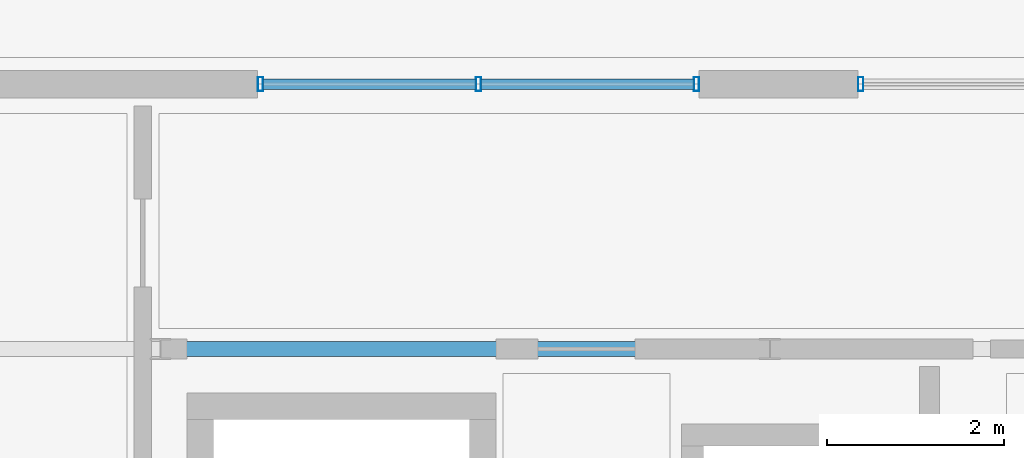
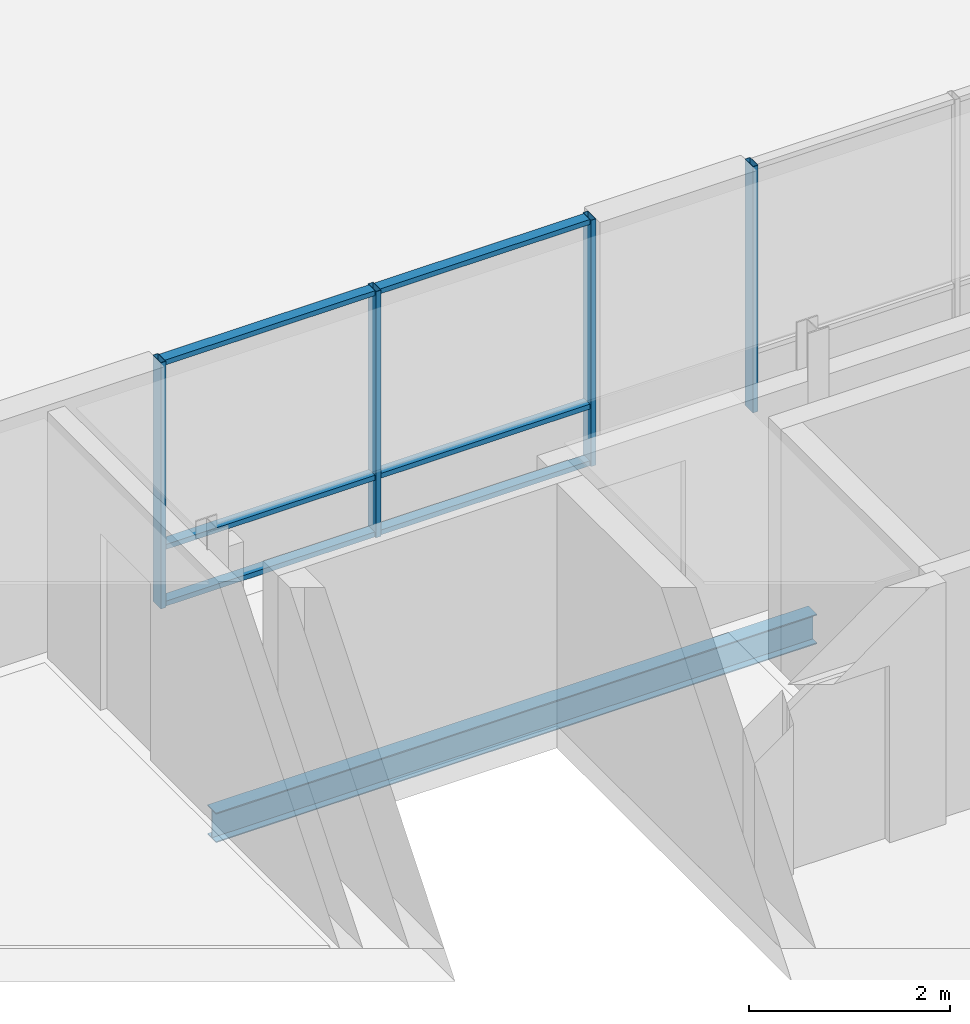
# One storey, part 16 of 109: 10 members, 1 beam, 2 elements without a shape of their own.
"""IFC4 building model written with IfcOpenShell, lengths in metres."""

from ifc_helpers import new_model, si_unit, direction, frame, origin, origin_2d, place, context, subcontext, project, spatial, hollow_rectangle, i_section, extrude, material, material_profile, profile_set, type_object, element, aggregate, save


model = new_model("IFC4")

# Units and contexts
model_context = context("Model", 3, precision=1e-05, world=origin(), true_north=direction((0.0, 1.0)))
body_context = subcontext(model_context, "Body", "Model", "MODEL_VIEW")
ifc_project = project(units=[si_unit("LENGTHUNIT", "METRE"), si_unit("AREAUNIT", "SQUARE_METRE"), si_unit("VOLUMEUNIT", "CUBIC_METRE"), si_unit("PLANEANGLEUNIT", "RADIAN"), si_unit("MASSUNIT", "GRAM", prefix="KILO")], contexts=[model_context])

# Site, building, storey
site_placement = place(None, origin())
site = spatial("IfcSite", under=ifc_project, at=site_placement, CompositionType="ELEMENT")
building_placement = place(site_placement, origin())
building = spatial("IfcBuilding", under=site, at=building_placement, Name="Zavelmont Quarter", CompositionType="ELEMENT")
storey_placement = place(building_placement, frame((0.0, 0.0, 8.0)))
storey = spatial("IfcBuildingStorey", under=building, at=storey_placement, Name="L02", CompositionType="ELEMENT", Elevation=8.0)

# Beam
ifc_material_1 = material(Name="Steel S355", Category="steel")
ifc_material_profile_1 = material_profile(ifc_material_1, i_section(OverallWidth=0.169921875, OverallDepth=0.360107421875, WebThickness=0.008056640625, FlangeThickness=0.0126953125, at=origin_2d()), Name="IPE 360")
ifc_profile_set_1 = profile_set([ifc_material_profile_1], Name="Steel S355")
beam_type = type_object("IfcBeamType", Name="BM13", PredefinedType="BEAM", material=ifc_profile_set_1)
beam_placement = place(storey_placement, frame((6.89990234375, 38.0, -0.449951171875), z_axis=(1.0, 0.0, 0.0), x_axis=(0.0, 1.0, 0.0)))
element("IfcBeam", 1, at=beam_placement, inside=storey, type_object=beam_type, Name="L02 beam BM13 2/G to 3/G", PredefinedType="BEAM", context=body_context, shape_type="SweptSolid", body=[
    extrude(i_section(OverallWidth=0.169921875, OverallDepth=0.360107421875, WebThickness=0.008056640625, FlangeThickness=0.0126953125, at=origin_2d()), origin(), (0.0, 0.0, 1.0), 6.900146484375),
])

# Curtain wall, members
ifc_material_2 = material(Name="Thermally broken aluminium and double low-E safety glazing", Category="aluminium")
curtain_wall_type_1 = type_object("IfcCurtainWallType", Name="CW-500X299", PredefinedType="NOTDEFINED", material=ifc_material_2)
curtain_wall_1_placement = place(storey_placement, origin())
curtain_wall_1 = element("IfcCurtainWall", 2, at=curtain_wall_1_placement, inside=storey, type_object=curtain_wall_type_1, Name="L02 unitised curtain wall CW-500X299", PredefinedType="NOTDEFINED")
ifc_material_3 = material(Name="Powder-coated aluminium EN AW-6063-T6", Category="aluminium")
ifc_material_profile_2 = material_profile(ifc_material_3, hollow_rectangle(XDim=0.06005859375, YDim=0.159912109375, WallThickness=0.00390625, at=origin_2d()), Name="CWM60X160")
ifc_profile_set_2 = profile_set([ifc_material_profile_2], Name="Powder-coated aluminium EN AW-6063-T6")
member_type_1 = type_object("IfcMemberType", Name="CWM01", PredefinedType="MULLION", material=ifc_profile_set_2)
member_1_placement = place(storey_placement, frame((8.030029296875, 41.0, 0.0), z_axis=(0.0, 0.0, 1.0), x_axis=(1.0, 0.0, 0.0)))
member_1 = element("IfcMember", 3, at=member_1_placement, type_object=member_type_1, Name="CW-500X299 mullion 1", PredefinedType="MULLION", context=body_context, shape_type="SweptSolid", body=[
    extrude(hollow_rectangle(XDim=0.06005859375, YDim=0.159912109375, WallThickness=0.00390625, at=origin_2d()), origin(), (0.0, 0.0, 1.0), 2.989990234375),
])
member_2_placement = place(storey_placement, frame((10.5, 41.0, 0.0), z_axis=(0.0, 0.0, 1.0), x_axis=(1.0, 0.0, 0.0)))
member_2 = element("IfcMember", 4, at=member_2_placement, type_object=member_type_1, Name="CW-500X299 mullion 2", PredefinedType="MULLION", context=body_context, shape_type="SweptSolid", body=[
    extrude(hollow_rectangle(XDim=0.06005859375, YDim=0.159912109375, WallThickness=0.00390625, at=origin_2d()), origin(), (0.0, 0.0, 1.0), 2.989990234375),
])
member_3_placement = place(storey_placement, frame((12.969970703125, 41.0, 0.0), z_axis=(0.0, 0.0, 1.0), x_axis=(1.0, 0.0, 0.0)))
member_3 = element("IfcMember", 5, at=member_3_placement, type_object=member_type_1, Name="CW-500X299 mullion 3", PredefinedType="MULLION", context=body_context, shape_type="SweptSolid", body=[
    extrude(hollow_rectangle(XDim=0.06005859375, YDim=0.159912109375, WallThickness=0.00390625, at=origin_2d()), origin(), (0.0, 0.0, 1.0), 2.989990234375),
])

# Curtain wall, member
curtain_wall_type_2 = type_object("IfcCurtainWallType", Name="CW-470X299", PredefinedType="NOTDEFINED", material=ifc_material_2)
curtain_wall_2_placement = place(storey_placement, origin())
curtain_wall_2 = element("IfcCurtainWall", 6, at=curtain_wall_2_placement, inside=storey, type_object=curtain_wall_type_2, Name="L02 unitised curtain wall CW-470X299", PredefinedType="NOTDEFINED")
member_4_placement = place(storey_placement, frame((14.830078125, 41.0, 0.0), z_axis=(0.0, 0.0, 1.0), x_axis=(1.0, 0.0, 0.0)))
member_4 = element("IfcMember", 7, at=member_4_placement, type_object=member_type_1, Name="CW-470X299 mullion 1", PredefinedType="MULLION", context=body_context, shape_type="SweptSolid", body=[
    extrude(hollow_rectangle(XDim=0.06005859375, YDim=0.159912109375, WallThickness=0.00390625, at=origin_2d()), origin(), (0.0, 0.0, 1.0), 2.989990234375),
])
aggregate(curtain_wall_2, [member_4])

# Member
ifc_material_profile_3 = material_profile(ifc_material_3, hollow_rectangle(XDim=0.1201171875, YDim=0.06005859375, WallThickness=0.00390625, at=origin_2d()), Name="CWT60X120")
ifc_profile_set_3 = profile_set([ifc_material_profile_3], Name="Powder-coated aluminium EN AW-6063-T6")
member_type_2 = type_object("IfcMemberType", Name="CWT01", PredefinedType="NOTDEFINED", material=ifc_profile_set_3)
member_5_placement = place(storey_placement, frame((8.06005859375, 41.0, 0.030029296875), z_axis=(1.0, 0.0, 0.0), x_axis=(0.0, 1.0, 0.0)))
member_5 = element("IfcMember", 8, at=member_5_placement, type_object=member_type_2, Name="CW-500X299 transom 1.1", ObjectType="TRANSOM", PredefinedType="USERDEFINED", context=body_context, shape_type="SweptSolid", body=[
    extrude(hollow_rectangle(XDim=0.1201171875, YDim=0.06005859375, WallThickness=0.00390625, at=origin_2d()), origin(), (0.0, 0.0, 1.0), 2.409912109375),
])

member_6_placement = place(storey_placement, frame((8.06005859375, 41.0, 0.718017578125), z_axis=(1.0, 0.0, 0.0), x_axis=(0.0, 1.0, 0.0)))
member_6 = element("IfcMember", 9, at=member_6_placement, type_object=member_type_2, Name="CW-500X299 transom 1.2", ObjectType="TRANSOM", PredefinedType="USERDEFINED", context=body_context, shape_type="SweptSolid", body=[
    extrude(hollow_rectangle(XDim=0.1201171875, YDim=0.06005859375, WallThickness=0.00390625, at=origin_2d()), origin(), (0.0, 0.0, 1.0), 2.409912109375),
])

member_7_placement = place(storey_placement, frame((8.06005859375, 41.0, 2.9599609375), z_axis=(1.0, 0.0, 0.0), x_axis=(0.0, 1.0, 0.0)))
member_7 = element("IfcMember", 10, at=member_7_placement, type_object=member_type_2, Name="CW-500X299 transom 1.3", ObjectType="TRANSOM", PredefinedType="USERDEFINED", context=body_context, shape_type="SweptSolid", body=[
    extrude(hollow_rectangle(XDim=0.1201171875, YDim=0.06005859375, WallThickness=0.00390625, at=origin_2d()), origin(), (0.0, 0.0, 1.0), 2.409912109375),
])

member_8_placement = place(storey_placement, frame((10.530029296875, 41.0, 0.030029296875), z_axis=(1.0, 0.0, 0.0), x_axis=(0.0, 1.0, 0.0)))
member_8 = element("IfcMember", 11, at=member_8_placement, type_object=member_type_2, Name="CW-500X299 transom 2.1", ObjectType="TRANSOM", PredefinedType="USERDEFINED", context=body_context, shape_type="SweptSolid", body=[
    extrude(hollow_rectangle(XDim=0.1201171875, YDim=0.06005859375, WallThickness=0.00390625, at=origin_2d()), origin(), (0.0, 0.0, 1.0), 2.409912109375),
])

member_9_placement = place(storey_placement, frame((10.530029296875, 41.0, 0.718017578125), z_axis=(1.0, 0.0, 0.0), x_axis=(0.0, 1.0, 0.0)))
member_9 = element("IfcMember", 12, at=member_9_placement, type_object=member_type_2, Name="CW-500X299 transom 2.2", ObjectType="TRANSOM", PredefinedType="USERDEFINED", context=body_context, shape_type="SweptSolid", body=[
    extrude(hollow_rectangle(XDim=0.1201171875, YDim=0.06005859375, WallThickness=0.00390625, at=origin_2d()), origin(), (0.0, 0.0, 1.0), 2.409912109375),
])

member_10_placement = place(storey_placement, frame((10.530029296875, 41.0, 2.9599609375), z_axis=(1.0, 0.0, 0.0), x_axis=(0.0, 1.0, 0.0)))
member_10 = element("IfcMember", 13, at=member_10_placement, type_object=member_type_2, Name="CW-500X299 transom 2.3", ObjectType="TRANSOM", PredefinedType="USERDEFINED", context=body_context, shape_type="SweptSolid", body=[
    extrude(hollow_rectangle(XDim=0.1201171875, YDim=0.06005859375, WallThickness=0.00390625, at=origin_2d()), origin(), (0.0, 0.0, 1.0), 2.409912109375),
])

aggregate(curtain_wall_1, [member_1, member_2, member_3, member_5, member_6, member_7, member_8, member_9, member_10])

save(model, "model.ifc")
